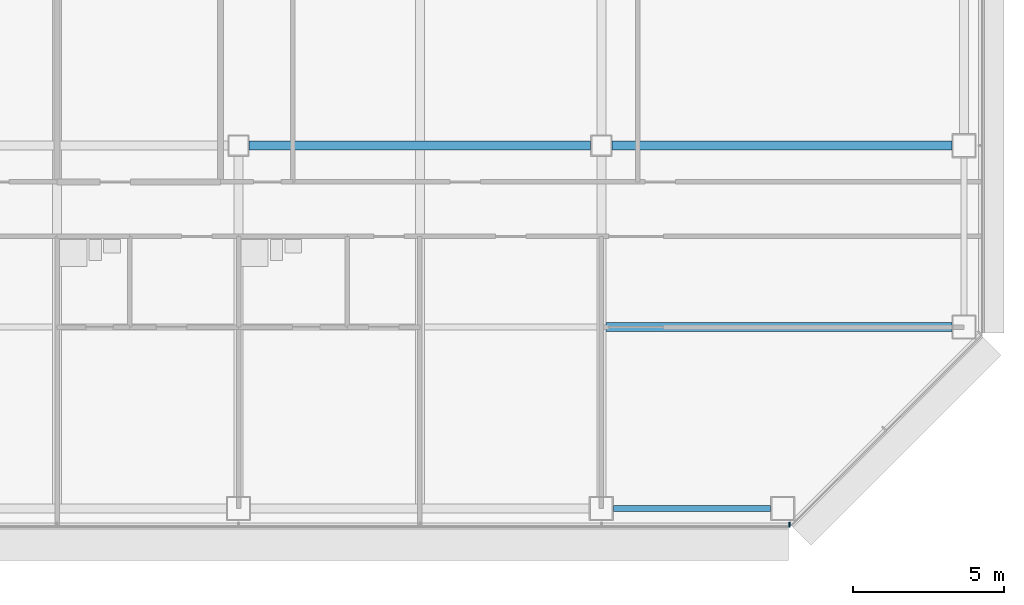
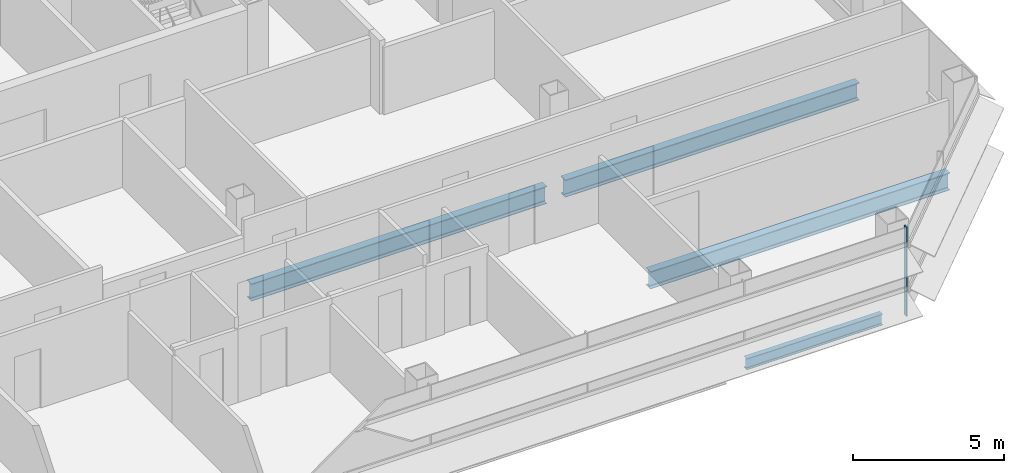
# One storey, part 9 of 25: 4 beams, 1 member, 1 element without a shape of its own.
"""IFC4 building model written with IfcOpenShell, lengths in metres."""

from ifc_helpers import new_model, si_unit, direction, frame, origin, origin_2d, place, context, subcontext, project, spatial, rectangle, i_section, extrude, material, material_profile, profile_set, type_object, element, aggregate, save


model = new_model("IFC4")

# Units and contexts
model_context = context("Model", 3, precision=1e-05, world=origin(), true_north=direction((0.0, 1.0)))
body_context = subcontext(model_context, "Body", "Model", "MODEL_VIEW")
ifc_project = project(units=[si_unit("LENGTHUNIT", "METRE"), si_unit("AREAUNIT", "SQUARE_METRE"), si_unit("VOLUMEUNIT", "CUBIC_METRE"), si_unit("PLANEANGLEUNIT", "RADIAN"), si_unit("MASSUNIT", "GRAM", prefix="KILO")], contexts=[model_context])

# Site, building, storey
site_placement = place(None, origin())
site = spatial("IfcSite", under=ifc_project, at=site_placement, CompositionType="ELEMENT")
building_placement = place(site_placement, origin())
building = spatial("IfcBuilding", under=site, at=building_placement, Name="Sorahane Residences", CompositionType="ELEMENT")
storey_placement = place(building_placement, frame((0.0, 0.0, 119.60009765625)))
storey = spatial("IfcBuildingStorey", under=building, at=storey_placement, Name="L26", CompositionType="ELEMENT", Elevation=119.60009765625)

# Curtain wall, member
ifc_material_1 = material(Name="Dark low-e glass and black anodised aluminium", Category="aluminium")
curtain_wall_type = type_object("IfcCurtainWallType", Name="Curtain wall CW-1 Typical unitised wall", PredefinedType="NOTDEFINED", material=ifc_material_1)
curtain_wall_placement = place(storey_placement, origin())
curtain_wall = element("IfcCurtainWall", 1, at=curtain_wall_placement, inside=storey, type_object=curtain_wall_type, Name="CW-1 curtain wall L26 S1", PredefinedType="NOTDEFINED")
ifc_material_2 = material(Name="Black anodised aluminium", Category="aluminium")
ifc_material_profile_1 = material_profile(ifc_material_2, rectangle(XDim=0.159912109375, YDim=0.050048828125, at=origin_2d()), Name="Curtain wall mullion CW-1 black anodised aluminium 50x160")
ifc_profile_set_1 = profile_set([ifc_material_profile_1], Name="Black anodised aluminium")
member_type = type_object("IfcMemberType", Name="Curtain wall mullion CW-1 black anodised aluminium 50x160", PredefinedType="MULLION", material=ifc_profile_set_1)
member_placement = place(storey_placement, frame((54.2236328125, -0.5400390625, -0.18017578125), z_axis=(0.0, 0.0, 1.0), x_axis=(0.0, -1.0, 0.0)))
member = element("IfcMember", 2, at=member_placement, type_object=member_type, Name="CW-1 mullion L26 S1.10", PredefinedType="MULLION", context=body_context, shape_type="SweptSolid", body=[
    extrude(rectangle(XDim=0.159912109375, YDim=0.050048828125, at=origin_2d()), origin(), (0.0, 0.0, 1.0), 3.60009765625),
])
aggregate(curtain_wall, [member])

# Beams
ifc_material_3 = material(Name="Steel Q355B", Category="steel")
ifc_material_profile_2 = material_profile(ifc_material_3, i_section(OverallWidth=0.199951171875, OverallDepth=0.449951171875, WebThickness=0.009033203125, FlangeThickness=0.013916015625, FilletRadius=0.02001953125, at=origin_2d()), Name="HN 450x200x9x14")
ifc_profile_set_2 = profile_set([ifc_material_profile_2], Name="Steel Q355B")
beam_type_1 = type_object("IfcBeamType", Name="Steel floor beam HN 450x200x9x14 Q355B", PredefinedType="BEAM", material=ifc_profile_set_2)
beam_1_placement = place(storey_placement, frame((48.39990234375, 0.0, -0.405029296875), z_axis=(1.0, 0.0, 0.0), x_axis=(0.0, 1.0, 0.0)))
element("IfcBeam", 3, at=beam_1_placement, inside=storey, type_object=beam_type_1, Name="Beam L26 004", PredefinedType="BEAM", context=body_context, shape_type="SweptSolid", body=[
    extrude(i_section(OverallWidth=0.199951171875, OverallDepth=0.449951171875, WebThickness=0.009033203125, FlangeThickness=0.013916015625, FilletRadius=0.02001953125, at=origin_2d()), origin(), (0.0, 0.0, 1.0), 5.2001953125),
])
ifc_material_4 = material(Name="Steel Q355B", Category="steel")
ifc_material_profile_3 = material_profile(ifc_material_4, i_section(OverallWidth=0.300048828125, OverallDepth=0.699951171875, WebThickness=0.012939453125, FlangeThickness=0.02392578125, FilletRadius=0.028076171875, at=origin_2d()), Name="HN 700x300x13x24")
ifc_profile_set_3 = profile_set([ifc_material_profile_3], Name="Steel Q355B")
beam_type_2 = type_object("IfcBeamType", Name="Steel floor beam HN 700x300x13x24 Q355B", PredefinedType="BEAM", material=ifc_profile_set_3)
beam_2_placement = place(storey_placement, frame((36.35009765625, 12.0, -0.530029296875), z_axis=(1.0, 0.0, 0.0), x_axis=(0.0, 1.0, 0.0)))
element("IfcBeam", 4, at=beam_2_placement, inside=storey, type_object=beam_type_2, Name="Beam L26 009", PredefinedType="BEAM", context=body_context, shape_type="SweptSolid", body=[
    extrude(i_section(OverallWidth=0.300048828125, OverallDepth=0.699951171875, WebThickness=0.012939453125, FlangeThickness=0.02392578125, FilletRadius=0.028076171875, at=origin_2d()), origin(), (0.0, 0.0, 1.0), 11.2998046875),
])
beam_3_placement = place(storey_placement, frame((48.35009765625, 12.0, -0.530029296875), z_axis=(1.0, 0.0, 0.0), x_axis=(0.0, 1.0, 0.0)))
element("IfcBeam", 5, at=beam_3_placement, inside=storey, type_object=beam_type_2, Name="Beam L26 010", PredefinedType="BEAM", context=body_context, shape_type="SweptSolid", body=[
    extrude(i_section(OverallWidth=0.300048828125, OverallDepth=0.699951171875, WebThickness=0.012939453125, FlangeThickness=0.02392578125, FilletRadius=0.028076171875, at=origin_2d()), origin(), (0.0, 0.0, 1.0), 11.25),
])
beam_4_placement = place(storey_placement, frame((48.14990234375, 6.0, -0.530029296875), z_axis=(1.0, 0.0, 0.0), x_axis=(0.0, 1.0, 0.0)))
element("IfcBeam", 6, at=beam_4_placement, inside=storey, type_object=beam_type_2, Name="Beam L26 077", PredefinedType="BEAM", context=body_context, shape_type="SweptSolid", body=[
    extrude(i_section(OverallWidth=0.300048828125, OverallDepth=0.699951171875, WebThickness=0.012939453125, FlangeThickness=0.02392578125, FilletRadius=0.028076171875, at=origin_2d()), origin(), (0.0, 0.0, 1.0), 11.4501953125),
])

save(model, "model.ifc")
